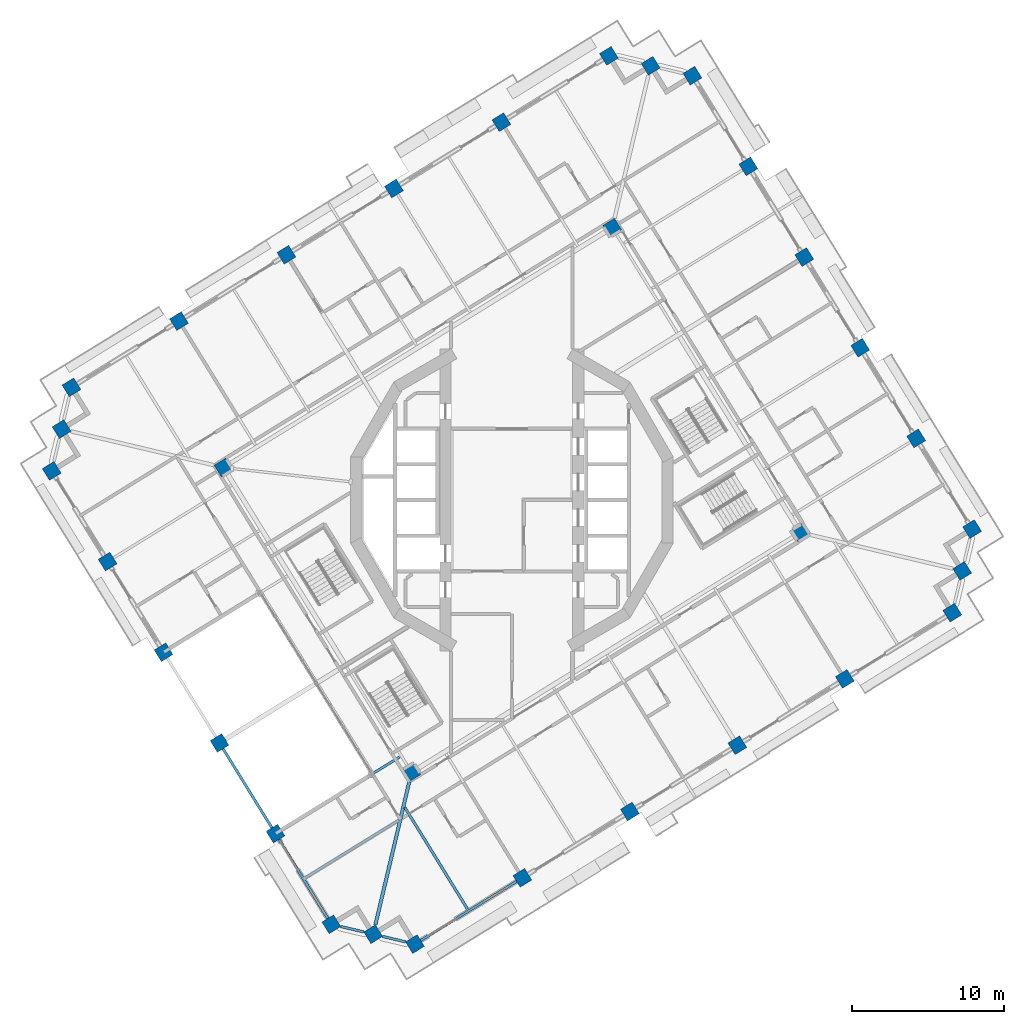
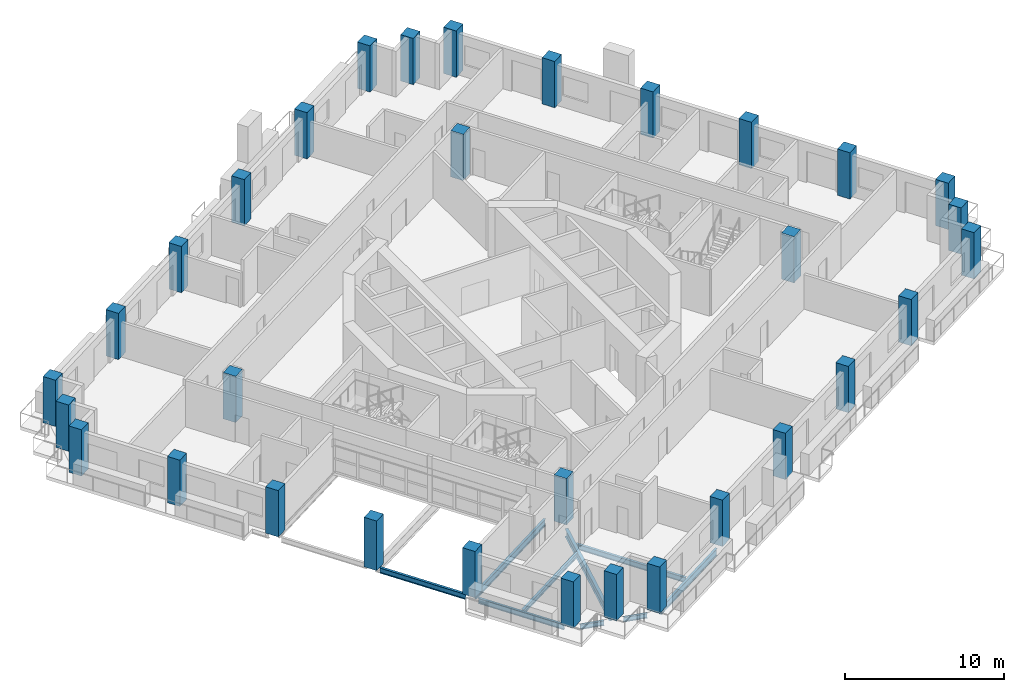
# One storey, part 1 of 22: 32 columns, 9 beams.
"""IFC4 building model written with IfcOpenShell, lengths in metres."""

from ifc_helpers import new_model, si_unit, direction, frame, origin, origin_2d, place, context, subcontext, project, spatial, rectangle, i_section, extrude, material, material_profile, profile_set, type_object, element, save


model = new_model("IFC4")

# Units and contexts
model_context = context("Model", 3, precision=1e-05, world=origin(), true_north=direction((0.0, 1.0)))
body_context = subcontext(model_context, "Body", "Model", "MODEL_VIEW")
ifc_project = project(units=[si_unit("LENGTHUNIT", "METRE"), si_unit("AREAUNIT", "SQUARE_METRE"), si_unit("VOLUMEUNIT", "CUBIC_METRE"), si_unit("PLANEANGLEUNIT", "RADIAN"), si_unit("MASSUNIT", "GRAM", prefix="KILO")], contexts=[model_context])

# Site, building, storey
site_placement = place(None, origin())
site = spatial("IfcSite", under=ifc_project, at=site_placement, CompositionType="ELEMENT")
building_placement = place(site_placement, origin())
building = spatial("IfcBuilding", under=site, at=building_placement, Name="Cantera Rosa Tower", CompositionType="ELEMENT")
storey_placement = place(building_placement, frame((0.0, 0.0, 162.800048828125)))
storey = spatial("IfcBuildingStorey", under=building, at=storey_placement, Name="L35", CompositionType="ELEMENT", Elevation=162.800048828125)

# Columns
ifc_material_1 = material(Name="Concrete C60/75", Category="concrete")
ifc_material_profile_1 = material_profile(ifc_material_1, rectangle(XDim=0.89990234375, YDim=0.89990234375, at=origin_2d()), Name="RC COLUMN RC900X900 C60/75")
ifc_profile_set_1 = profile_set([ifc_material_profile_1], Name="Concrete C60/75")
column_type_1 = type_object("IfcColumnType", Name="RC COLUMN RC900X900 C60/75", PredefinedType="COLUMN", material=ifc_profile_set_1)
for number, where, z_axis, x_axis, name in (
    (1, (30.321044921875, -1.917724609375, 0.0), (0.0, 0.0, 1.0), (0.851116672434, 0.52497658034, 0.0), "C-Z3-01 L35"),
    (2, (26.6357421875, 4.05712890625, 0.0), (0.0, 0.0, 1.0), (0.851116672434, 0.52497658034, 0.0), "C-Z3-02 L35"),
    (3, (22.950439453125, 10.031982421875, 0.0), (0.0, 0.0, 1.0), (0.851116672434, 0.52497658034, 0.0), "C-Z3-03 L35"),
    (4, (19.26513671875, 16.0068359375, 0.0), (0.0, 0.0, 1.0), (0.851116672434, 0.52497658034, 0.0), "C-Z3-04 L35"),
    (5, (15.57958984375, 21.981689453125, 0.0), (0.0, 0.0, 1.0), (0.851116672434, 0.52497658034, 0.0), "C-Z3-05 L35"),
    (6, (11.894287109375, 27.95654296875, 0.0), (0.0, 0.0, 1.0), (0.851116672434, 0.52497658034, 0.0), "C-Z3-06 L35"),
    (7, (9.14208984375, 28.60888671875, 0.0), (0.0, 0.0, 1.0), (0.851116672434, 0.52497658034, 0.0), "C-Z3-07 L35"),
    (8, (6.389892578125, 29.260986328125, 0.0), (0.0, 0.0, 1.0), (0.851116672434, 0.52497658034, 0.0), "C-Z3-08 L35"),
    (9, (-0.69140625, 24.893310546875, 0.0), (0.0, 0.0, 1.0), (0.851116672434, 0.52497658034, 0.0), "C-Z3-09 L35"),
    (10, (-7.772705078125, 20.525390625, 0.0), (0.0, 0.0, 1.0), (0.851116672434, 0.52497658034, 0.0), "C-Z3-10 L35"),
    (11, (-14.85400390625, 16.15771484375, 0.0), (0.0, 0.0, 1.0), (0.851116672434, 0.52497658034, 0.0), "C-Z3-11 L35"),
    (12, (-21.935302734375, 11.789794921875, 0.0), (0.0, 0.0, 1.0), (0.851116672434, 0.52497658034, 0.0), "C-Z3-12 L35"),
    (13, (-29.016357421875, 7.422119140625, 0.0), (0.0, 0.0, 1.0), (0.851116672434, 0.52497658034, 0.0), "C-Z3-13 L35"),
    (14, (-29.668701171875, 4.669921875, 0.0), (0.0, 0.0, 1.0), (0.851116672434, 0.52497658034, 0.0), "C-Z3-14 L35"),
    (15, (-30.321044921875, 1.917724609375, 0.0), (0.0, 0.0, 1.0), (0.851116672434, 0.52497658034, 0.0), "C-Z3-15 L35"),
    (16, (-26.6357421875, -4.05712890625, 0.0), (0.0, 0.0, 1.0), (0.851116672434, 0.52497658034, 0.0), "C-Z3-16 L35"),
    (17, (-22.950439453125, -10.031982421875, 0.0), (0.0, 0.0, 1.0), (0.851116672434, 0.52497658034, 0.0), "C-Z3-17 L35"),
):
    element("IfcColumn", number, at=place(storey_placement, frame(where, z_axis=z_axis, x_axis=x_axis)), inside=storey, type_object=column_type_1, Name=name, PredefinedType="COLUMN", context=body_context, shape_type="SweptSolid", body=[
        extrude(rectangle(XDim=0.89990234375, YDim=0.89990234375, at=origin_2d()), origin(), (0.0, 0.0, 1.0), 3.550048828125),
    ])
column_placement = place(storey_placement, frame((-19.26513671875, -16.0068359375, -0.25), z_axis=(0.0, 0.0, 1.0), x_axis=(0.851116672434, 0.52497658034, 0.0)))
element("IfcColumn", 18, at=column_placement, inside=storey, type_object=column_type_1, Name="C-Z3-18 L35", PredefinedType="COLUMN", context=body_context, shape_type="SweptSolid", body=[
    extrude(rectangle(XDim=0.89990234375, YDim=0.89990234375, at=origin_2d()), origin(), (0.0, 0.0, 1.0), 3.800048828125),
])
for number, where, z_axis, x_axis, name in (
    (19, (-15.57958984375, -21.981689453125, 0.0), (0.0, 0.0, 1.0), (0.851116672434, 0.52497658034, 0.0), "C-Z3-19 L35"),
    (20, (-11.894287109375, -27.95654296875, 0.0), (0.0, 0.0, 1.0), (0.851116672434, 0.52497658034, 0.0), "C-Z3-20 L35"),
    (21, (-9.14208984375, -28.60888671875, 0.0), (0.0, 0.0, 1.0), (0.851116672434, 0.52497658034, 0.0), "C-Z3-21 L35"),
    (22, (-6.389892578125, -29.260986328125, 0.0), (0.0, 0.0, 1.0), (0.851116672434, 0.52497658034, 0.0), "C-Z3-22 L35"),
    (23, (0.69140625, -24.893310546875, 0.0), (0.0, 0.0, 1.0), (0.851116672434, 0.52497658034, 0.0), "C-Z3-23 L35"),
    (24, (7.772705078125, -20.525390625, 0.0), (0.0, 0.0, 1.0), (0.851116672434, 0.52497658034, 0.0), "C-Z3-24 L35"),
    (25, (14.85400390625, -16.15771484375, 0.0), (0.0, 0.0, 1.0), (0.851116672434, 0.52497658034, 0.0), "C-Z3-25 L35"),
    (26, (21.935302734375, -11.789794921875, 0.0), (0.0, 0.0, 1.0), (0.851116672434, 0.52497658034, 0.0), "C-Z3-26 L35"),
    (27, (29.016357421875, -7.422119140625, 0.0), (0.0, 0.0, 1.0), (0.851116672434, 0.52497658034, 0.0), "C-Z3-27 L35"),
    (28, (29.668701171875, -4.669921875, 0.0), (0.0, 0.0, 1.0), (0.851116672434, 0.52497658034, 0.0), "C-Z3-28 L35"),
):
    element("IfcColumn", number, at=place(storey_placement, frame(where, z_axis=z_axis, x_axis=x_axis)), inside=storey, type_object=column_type_1, Name=name, PredefinedType="COLUMN", context=body_context, shape_type="SweptSolid", body=[
        extrude(rectangle(XDim=0.89990234375, YDim=0.89990234375, at=origin_2d()), origin(), (0.0, 0.0, 1.0), 3.550048828125),
    ])
ifc_material_2 = material(Name="Concrete C60/75", Category="concrete")
ifc_material_profile_2 = material_profile(ifc_material_2, rectangle(XDim=0.89990234375, YDim=0.89990234375, at=origin_2d()), Name="RC RING COLUMN RC900X900 C60/75")
ifc_profile_set_2 = profile_set([ifc_material_profile_2], Name="Concrete C60/75")
column_type_2 = type_object("IfcColumnType", Name="RC RING COLUMN RC900X900 C60/75", PredefinedType="COLUMN", material=ifc_profile_set_2)
for number, where, z_axis, x_axis, name in (
    (29, (6.614501953125, 17.944091796875, 0.0), (0.0, 0.0, 1.0), (0.851116672434, 0.52497658034, 0.0), "CI-Z3-1 L35"),
    (30, (-19.004150390625, 2.142333984375, 0.0), (0.0, 0.0, 1.0), (0.851116672434, 0.52497658034, 0.0), "CI-Z3-2 L35"),
    (31, (-6.614501953125, -17.944091796875, 0.0), (0.0, 0.0, 1.0), (0.851116672434, 0.52497658034, 0.0), "CI-Z3-3 L35"),
    (32, (19.004150390625, -2.142333984375, 0.0), (0.0, 0.0, 1.0), (0.851116672434, 0.52497658034, 0.0), "CI-Z3-4 L35"),
):
    element("IfcColumn", number, at=place(storey_placement, frame(where, z_axis=z_axis, x_axis=x_axis)), inside=storey, type_object=column_type_2, Name=name, PredefinedType="COLUMN", context=body_context, shape_type="SweptSolid", body=[
        extrude(rectangle(XDim=0.89990234375, YDim=0.89990234375, at=origin_2d()), origin(), (0.0, 0.0, 1.0), 3.550048828125),
    ])

# Beams
ifc_material_3 = material(Name="Steel ASTM A992 (Fy 345 MPa)", Category="steel")
ifc_material_profile_3 = material_profile(ifc_material_3, i_section(OverallWidth=0.166015625, OverallDepth=0.528076171875, WebThickness=0.009765625, FlangeThickness=0.013671875, FilletRadius=0.0126953125, at=origin_2d()), Name="W530X74")
ifc_profile_set_3 = profile_set([ifc_material_profile_3], Name="Steel ASTM A992 (Fy 345 MPa)")
beam_type_1 = type_object("IfcBeamType", Name="STEEL BEAM W530X74", PredefinedType="BEAM", material=ifc_profile_set_3)
beam_1_placement = place(storey_placement, frame((-15.19677734375, -21.745361328125, -0.51416015625), z_axis=(0.851123779764, 0.524965057427, 0.0), x_axis=(-0.524965057427, 0.851123779764, 0.0)))
element("IfcBeam", 33, at=beam_1_placement, inside=storey, type_object=beam_type_1, Name="G-Z3-16 L35", PredefinedType="BEAM", context=body_context, shape_type="SweptSolid", body=[
    extrude(i_section(OverallWidth=0.166015625, OverallDepth=0.528076171875, WebThickness=0.009765625, FlangeThickness=0.013671875, FilletRadius=0.0126953125, at=origin_2d()), origin(), (0.0, 0.0, 1.0), 9.150146484375),
])
ifc_material_4 = material(Name="Steel ASTM A992 (Fy 345 MPa)", Category="steel")
ifc_material_profile_4 = material_profile(ifc_material_4, i_section(OverallWidth=0.22802734375, OverallDepth=0.60205078125, WebThickness=0.010498046875, FlangeThickness=0.014892578125, FilletRadius=0.0126953125, at=origin_2d()), Name="W610X101")
ifc_profile_set_4 = profile_set([ifc_material_profile_4], Name="Steel ASTM A992 (Fy 345 MPa)")
beam_type_2 = type_object("IfcBeamType", Name="STEEL BEAM W610X101", PredefinedType="BEAM", material=ifc_profile_set_4)
beam_2_placement = place(storey_placement, frame((-8.995361328125, -27.989501953125, -0.551025390625), z_axis=(0.230622120091, 0.973043389436, 0.0), x_axis=(-0.973043389436, 0.230622120091, 0.0)))
element("IfcBeam", 34, at=beam_2_placement, inside=storey, type_object=beam_type_2, Name="CB-Z3-03 L35", PredefinedType="BEAM", context=body_context, shape_type="SweptSolid", body=[
    extrude(i_section(OverallWidth=0.22802734375, OverallDepth=0.60205078125, WebThickness=0.010498046875, FlangeThickness=0.014892578125, FilletRadius=0.0126953125, at=origin_2d()), origin(), (0.0, 0.0, 1.0), 9.6875),
])
ifc_material_5 = material(Name="Steel ASTM A992 (Fy 345 MPa)", Category="steel")
ifc_material_profile_5 = material_profile(ifc_material_5, i_section(OverallWidth=0.1708984375, OverallDepth=0.35595703125, WebThickness=0.00732421875, FlangeThickness=0.01171875, FilletRadius=0.010009765625, at=origin_2d()), Name="W360X51")
ifc_profile_set_5 = profile_set([ifc_material_profile_5], Name="Steel ASTM A992 (Fy 345 MPa)")
beam_type_3 = type_object("IfcBeamType", Name="STEEL JOIST W360X51", PredefinedType="JOIST", material=ifc_profile_set_5)
beam_3_placement = place(storey_placement, frame((-13.609375, -24.890380859375, -0.427978515625), z_axis=(0.851109089911, 0.524988873283, 0.0), x_axis=(-0.524988873283, 0.851109089911, 0.0)))
element("IfcBeam", 35, at=beam_3_placement, inside=storey, type_object=beam_type_3, Name="B-Z3-20 L35", PredefinedType="JOIST", context=body_context, shape_type="SweptSolid", body=[
    extrude(i_section(OverallWidth=0.1708984375, OverallDepth=0.35595703125, WebThickness=0.00732421875, FlangeThickness=0.01171875, FilletRadius=0.010009765625, at=origin_2d()), origin(), (0.0, 0.0, 1.0), 7.2099609375),
])
ifc_material_6 = material(Name="Steel ASTM A992 (Fy 345 MPa)", Category="steel")
ifc_material_profile_6 = material_profile(ifc_material_6, i_section(OverallWidth=0.177978515625, OverallDepth=0.406005859375, WebThickness=0.0078125, FlangeThickness=0.0126953125, FilletRadius=0.01025390625, at=origin_2d()), Name="W410X60")
ifc_profile_set_6 = profile_set([ifc_material_profile_6], Name="Steel ASTM A992 (Fy 345 MPa)")
beam_type_4 = type_object("IfcBeamType", Name="STEEL JOIST W410X60", PredefinedType="JOIST", material=ifc_profile_set_6)
beam_4_placement = place(storey_placement, frame((-2.927978515625, -26.949462890625, -0.453125), z_axis=(-0.524994840515, 0.85110540912, 0.0), x_axis=(-0.85110540912, -0.524994840515, 0.0)))
element("IfcBeam", 36, at=beam_4_placement, inside=storey, type_object=beam_type_4, Name="B-Z3-11 L35", PredefinedType="JOIST", context=body_context, shape_type="SweptSolid", body=[
    extrude(i_section(OverallWidth=0.177978515625, OverallDepth=0.406005859375, WebThickness=0.0078125, FlangeThickness=0.0126953125, FilletRadius=0.01025390625, at=origin_2d()), origin(), (0.0, 0.0, 1.0), 7.860107421875),
])
ifc_material_7 = material(Name="Steel ASTM A992 (Fy 345 MPa)", Category="steel")
ifc_material_profile_7 = material_profile(ifc_material_7, i_section(OverallWidth=0.1708984375, OverallDepth=0.35595703125, WebThickness=0.00732421875, FlangeThickness=0.01171875, FilletRadius=0.010009765625, at=origin_2d()), Name="W360X51")
ifc_profile_set_7 = profile_set([ifc_material_profile_7], Name="Steel ASTM A992 (Fy 345 MPa)")
beam_type_5 = type_object("IfcBeamType", Name="STEEL SPANDREL BEAM W360X51", PredefinedType="SPANDREL", material=ifc_profile_set_7)
for number, where, z_axis, x_axis, name in (
    (37, (-11.275146484375, -28.103271484375, -0.427978515625), (0.973059906546, -0.230552419793, 0.0), (0.230552419793, 0.973059906546, 0.0), "EB-Z3-20 L35"),
    (38, (-8.52294921875, -28.755615234375, -0.427978515625), (0.973059906546, -0.230552419793, 0.0), (0.230552419793, 0.973059906546, 0.0), "EB-Z3-21 L35"),
):
    element("IfcBeam", number, at=place(storey_placement, frame(where, z_axis=z_axis, x_axis=x_axis)), inside=storey, type_object=beam_type_5, Name=name, PredefinedType="SPANDREL", context=body_context, shape_type="SweptSolid", body=[
        extrude(i_section(OverallWidth=0.1708984375, OverallDepth=0.35595703125, WebThickness=0.00732421875, FlangeThickness=0.01171875, FilletRadius=0.010009765625, at=origin_2d()), origin(), (0.0, 0.0, 1.0), 1.5556640625),
    ])
ifc_material_8 = material(Name="Steel ASTM A992 (Fy 345 MPa)", Category="steel")
ifc_material_profile_8 = material_profile(ifc_material_8, i_section(OverallWidth=0.177978515625, OverallDepth=0.406005859375, WebThickness=0.0078125, FlangeThickness=0.0126953125, FilletRadius=0.01025390625, at=origin_2d()), Name="W410X60")
ifc_profile_set_8 = profile_set([ifc_material_profile_8], Name="Steel ASTM A992 (Fy 345 MPa)")
beam_type_6 = type_object("IfcBeamType", Name="STEEL SPANDREL BEAM W410X60", PredefinedType="SPANDREL", material=ifc_profile_set_8)
for number, where, z_axis, x_axis, name in (
    (39, (-19.02880859375, -16.389892578125, -0.453125), (0.524987447654, -0.851109969279, 0.0), (0.851109969279, 0.524987447654, 0.0), "EB-Z3-18 L35"),
    (40, (-15.343505859375, -22.36474609375, -0.453125), (0.524987447654, -0.851109969279, 0.0), (0.851109969279, 0.524987447654, 0.0), "EB-Z3-19 L35"),
):
    element("IfcBeam", number, at=place(storey_placement, frame(where, z_axis=z_axis, x_axis=x_axis)), inside=storey, type_object=beam_type_6, Name=name, PredefinedType="SPANDREL", context=body_context, shape_type="SweptSolid", body=[
        extrude(i_section(OverallWidth=0.177978515625, OverallDepth=0.406005859375, WebThickness=0.0078125, FlangeThickness=0.0126953125, FilletRadius=0.01025390625, at=origin_2d()), origin(), (0.0, 0.0, 1.0), 6.119873046875),
    ])
ifc_material_9 = material(Name="Steel ASTM A992 (Fy 345 MPa)", Category="steel")
ifc_material_profile_9 = material_profile(ifc_material_9, i_section(OverallWidth=0.166015625, OverallDepth=0.528076171875, WebThickness=0.009765625, FlangeThickness=0.013671875, FilletRadius=0.0126953125, at=origin_2d()), Name="W530X74")
ifc_profile_set_9 = profile_set([ifc_material_profile_9], Name="Steel ASTM A992 (Fy 345 MPa)")
beam_type_7 = type_object("IfcBeamType", Name="STEEL SPANDREL BEAM W530X74", PredefinedType="SPANDREL", material=ifc_profile_set_9)
beam_5_placement = place(storey_placement, frame((-6.007080078125, -29.02490234375, -0.51416015625), z_axis=(0.851111085575, 0.524985637909, 0.0), x_axis=(-0.524985637909, 0.851111085575, 0.0)))
element("IfcBeam", 41, at=beam_5_placement, inside=storey, type_object=beam_type_7, Name="EB-Z3-22 L35", PredefinedType="SPANDREL", context=body_context, shape_type="SweptSolid", body=[
    extrude(i_section(OverallWidth=0.166015625, OverallDepth=0.528076171875, WebThickness=0.009765625, FlangeThickness=0.013671875, FilletRadius=0.0126953125, at=origin_2d()), origin(), (0.0, 0.0, 1.0), 7.420166015625),
])

save(model, "model.ifc")
